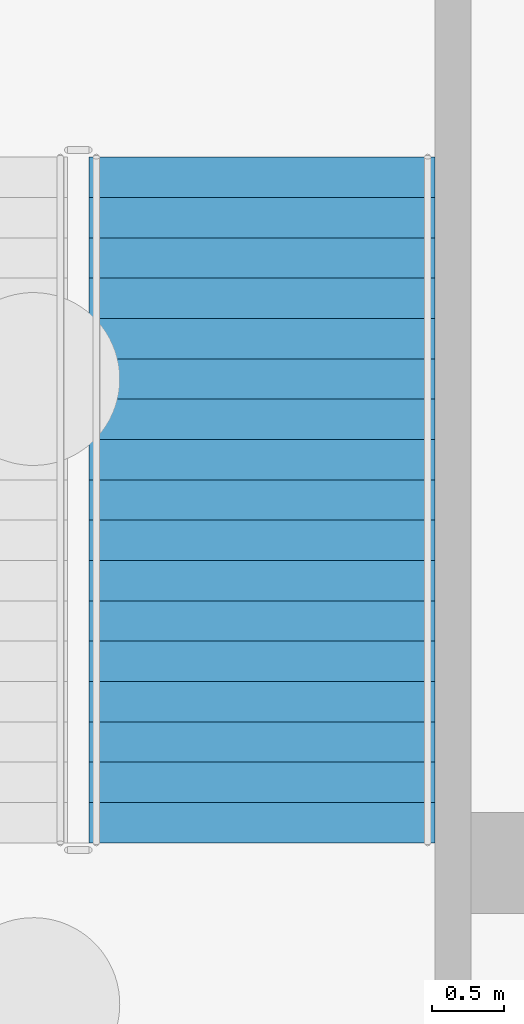
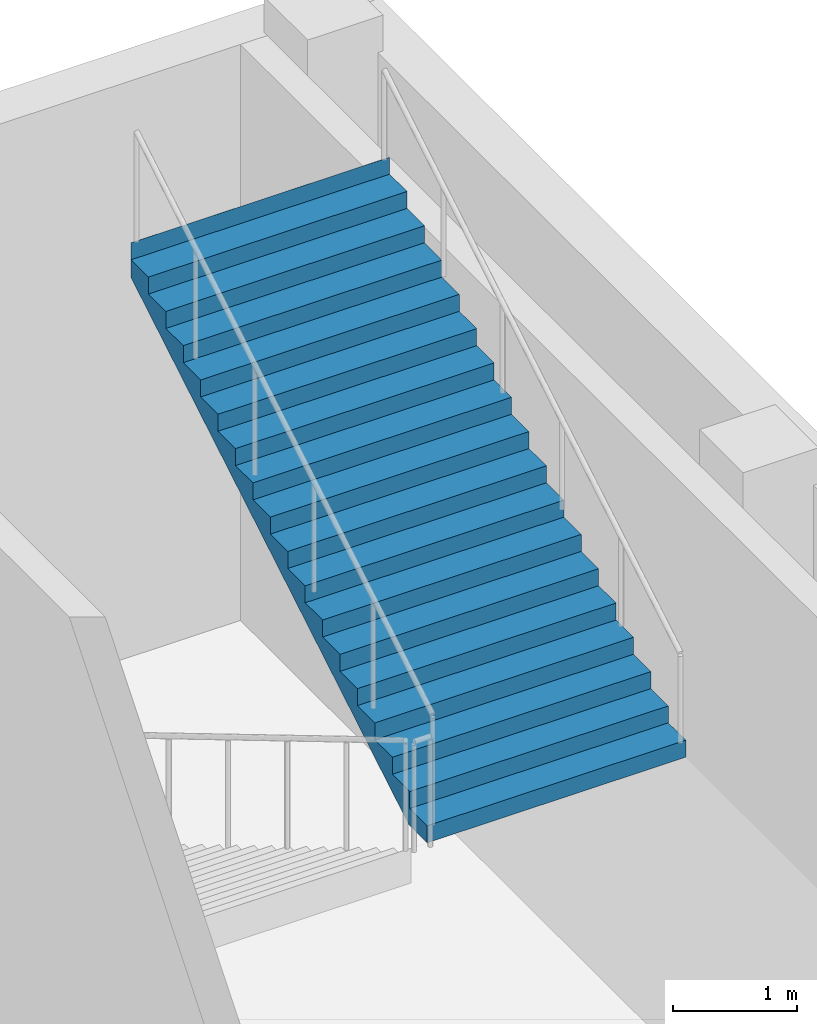
# One storey, part 28 of 45: 1 stair flight, 1 element without a shape of its own.
"""IFC4 building model written with IfcOpenShell, lengths in metres."""

from ifc_helpers import new_model, si_unit, direction, frame, origin, place, context, subcontext, project, spatial, polyline, outline, extrude, material, type_object, element, aggregate, save


model = new_model("IFC4")

# Units and contexts
model_context = context("Model", 3, precision=1e-05, world=origin(), true_north=direction((0.0, 1.0)))
body_context = subcontext(model_context, "Body", "Model", "MODEL_VIEW")
ifc_project = project(units=[si_unit("LENGTHUNIT", "METRE"), si_unit("AREAUNIT", "SQUARE_METRE"), si_unit("VOLUMEUNIT", "CUBIC_METRE"), si_unit("PLANEANGLEUNIT", "RADIAN"), si_unit("MASSUNIT", "GRAM", prefix="KILO")], contexts=[model_context])

# Site, building, storey
site_placement = place(None, origin())
site = spatial("IfcSite", under=ifc_project, at=site_placement, CompositionType="ELEMENT")
building_placement = place(site_placement, origin())
building = spatial("IfcBuilding", under=site, at=building_placement, Name="Tamorin Gate", CompositionType="ELEMENT")
storey_placement = place(building_placement, frame((0.0, 0.0, -6.0)))
storey = spatial("IfcBuildingStorey", under=building, at=storey_placement, Name="B1", CompositionType="ELEMENT", Elevation=-6.0)

# Stair, stair flight
ifc_material = material(Name="Concrete C40/50", Category="concrete")
stair_type = type_object("IfcStairType", Name="Museum exit stair 2400 C40/50", PredefinedType="HALF_TURN_STAIR", material=ifc_material)
stair_placement = place(storey_placement, origin())
stair = element("IfcStair", 1, at=stair_placement, inside=storey, type_object=stair_type, Name="B1 PS9", PredefinedType="HALF_TURN_STAIR")
stair_flight_type = type_object("IfcStairFlightType", Name="Museum exit stair flight 2400 C40/50", PredefinedType="STRAIGHT", material=ifc_material)
stair_flight_placement = place(storey_placement, frame((207.89990234375, 90.840087890625, 3.0), z_axis=(0.0, 0.0, 1.0), x_axis=(0.0, 1.0, 0.0)))
stair_flight = element("IfcStairFlight", 2, at=stair_flight_placement, type_object=stair_flight_type, Name="PS9 flight 2", NumberOfRisers=18, NumberOfTreads=17, PredefinedType="STRAIGHT", RiserHeight=0.166666667, TreadLength=0.28, context=body_context, shape_type="SweptSolid", body=[
    extrude(outline(polyline([(-0.00048828125, 0.0), (-0.00048828125, 0.001708984375), (-0.00048828125, 0.00341796875), (-0.00048828125, 0.0048828125), (-0.00048828125, 0.006591796875), (-0.00048828125, 0.00830078125), (-0.00048828125, 0.010009765625), (-0.00048828125, 0.011474609375), (-0.00048828125, 0.01318359375), (-0.00048828125, 0.014892578125), (-0.00048828125, 0.0166015625), (-0.00048828125, 0.01806640625), (-0.00048828125, 0.019775390625), (-0.00048828125, 0.021484375), (-0.00048828125, 0.023193359375), (-0.00048828125, 0.024658203125), (-0.00048828125, 0.0263671875), (-0.00048828125, 0.028076171875), (-0.00048828125, 0.02978515625), (-0.00048828125, 0.03125), (-0.00048828125, 0.032958984375), (-0.00048828125, 0.03466796875), (-0.00048828125, 0.036376953125), (-0.00048828125, 0.037841796875), (-0.00048828125, 0.03955078125), (-0.00048828125, 0.041259765625), (-0.00048828125, 0.04296875), (-0.00048828125, 0.04443359375), (-0.00048828125, 0.046142578125), (-0.00048828125, 0.0478515625), (-0.00048828125, 0.049560546875), (-0.00048828125, 0.05126953125), (-0.00048828125, 0.052734375), (-0.00048828125, 0.054443359375), (-0.00048828125, 0.05615234375), (-0.00048828125, 0.057861328125), (-0.00048828125, 0.059326171875), (-0.00048828125, 0.06103515625), (-0.00048828125, 0.062744140625), (-0.00048828125, 0.064453125), (-0.00048828125, 0.06591796875), (-0.00048828125, 0.067626953125), (-0.00048828125, 0.0693359375), (-0.00048828125, 0.071044921875), (-0.00048828125, 0.072509765625), (-0.00048828125, 0.07421875), (-0.00048828125, 0.075927734375), (-0.00048828125, 0.07763671875), (-0.00048828125, 0.0791015625), (-0.00048828125, 0.080810546875), (-0.00048828125, 0.08251953125), (-0.00048828125, 0.084228515625), (-0.00048828125, 0.085693359375), (-0.00048828125, 0.08740234375), (-0.00048828125, 0.089111328125), (-0.00048828125, 0.0908203125), (-0.00048828125, 0.092529296875), (-0.00048828125, 0.093994140625), (-0.00048828125, 0.095703125), (-0.00048828125, 0.097412109375), (-0.00048828125, 0.09912109375), (-0.00048828125, 0.1005859375), (-0.00048828125, 0.102294921875), (-0.00048828125, 0.10400390625), (-0.00048828125, 0.105712890625), (-0.00048828125, 0.107177734375), (-0.00048828125, 0.10888671875), (-0.00048828125, 0.110595703125), (-0.00048828125, 0.1123046875), (-0.00048828125, 0.11376953125), (-0.00048828125, 0.115478515625), (-0.00048828125, 0.1171875), (-0.00048828125, 0.118896484375), (-0.00048828125, 0.120361328125), (-0.00048828125, 0.1220703125), (-0.00048828125, 0.123779296875), (-0.00048828125, 0.12548828125), (-0.00048828125, 0.126953125), (-0.00048828125, 0.128662109375), (-0.00048828125, 0.13037109375), (-0.00048828125, 0.132080078125), (-0.00048828125, 0.133544921875), (-0.00048828125, 0.13525390625), (-0.00048828125, 0.136962890625), (-0.00048828125, 0.138671875), (-0.00048828125, 0.140380859375), (-0.00048828125, 0.141845703125), (-0.00048828125, 0.1435546875), (-0.00048828125, 0.145263671875), (-0.00048828125, 0.14697265625), (-0.00048828125, 0.1484375), (-0.00048828125, 0.150146484375), (-0.00048828125, 0.15185546875), (-0.00048828125, 0.153564453125), (-0.00048828125, 0.155029296875), (-0.00048828125, 0.15673828125), (-0.00048828125, 0.158447265625), (-0.00048828125, 0.16015625), (-0.00048828125, 0.16162109375), (-0.00048828125, 0.163330078125), (-0.00048828125, 0.1650390625), (-0.00048828125, 0.166748046875), (0.280029296875, 0.166748046875), (0.280029296875, 0.333251953125), (0.56005859375, 0.333251953125), (0.56005859375, 0.5), (0.840087890625, 0.5), (0.840087890625, 0.666748046875), (1.1201171875, 0.666748046875), (1.1201171875, 0.833251953125), (1.39990234375, 0.833251953125), (1.39990234375, 1.0), (1.679931640625, 1.0), (1.679931640625, 1.166748046875), (1.9599609375, 1.166748046875), (1.9599609375, 1.333251953125), (2.239990234375, 1.333251953125), (2.239990234375, 1.5), (2.52001953125, 1.5), (2.52001953125, 1.666748046875), (2.800048828125, 1.666748046875), (2.800048828125, 1.833251953125), (3.080078125, 1.833251953125), (3.080078125, 2.0), (3.360107421875, 2.0), (3.360107421875, 2.166748046875), (3.639892578125, 2.166748046875), (3.639892578125, 2.333251953125), (3.919921875, 2.333251953125), (3.919921875, 2.5), (4.199951171875, 2.5), (4.199951171875, 2.666748046875), (4.47998046875, 2.666748046875), (4.47998046875, 2.833251953125), (4.760009765625, 2.833251953125), (4.760009765625, 3.0), (4.760498046875, 3.0), (4.760498046875, 2.99658203125), (4.760498046875, 2.9931640625), (4.760498046875, 2.98974609375), (4.760498046875, 2.986572265625), (4.760498046875, 2.983154296875), (4.760498046875, 2.979736328125), (4.760498046875, 2.976318359375), (4.760498046875, 2.972900390625), (4.760498046875, 2.969482421875), (4.760498046875, 2.96630859375), (4.760498046875, 2.962890625), (4.760498046875, 2.95947265625), (4.760498046875, 2.9560546875), (4.760498046875, 2.95263671875), (4.760498046875, 2.94921875), (4.760498046875, 2.946044921875), (4.760498046875, 2.942626953125), (4.760498046875, 2.939208984375), (4.760498046875, 2.935791015625), (4.760498046875, 2.932373046875), (4.760498046875, 2.928955078125), (4.760498046875, 2.92578125), (4.760498046875, 2.92236328125), (4.760498046875, 2.9189453125), (4.760498046875, 2.91552734375), (4.760498046875, 2.912109375), (4.760498046875, 2.90869140625), (4.760498046875, 2.905517578125), (4.760498046875, 2.902099609375), (4.760498046875, 2.898681640625), (4.760498046875, 2.895263671875), (4.760498046875, 2.891845703125), (4.760498046875, 2.888427734375), (4.760498046875, 2.88525390625), (4.760498046875, 2.8818359375), (4.760498046875, 2.87841796875), (4.760498046875, 2.875), (4.760498046875, 2.87158203125), (4.760498046875, 2.8681640625), (4.760498046875, 2.864990234375), (4.760498046875, 2.861572265625), (4.760498046875, 2.858154296875), (4.760498046875, 2.854736328125), (4.760498046875, 2.851318359375), (4.760498046875, 2.847900390625), (4.760498046875, 2.8447265625), (4.760498046875, 2.84130859375), (4.760498046875, 2.837890625), (4.760498046875, 2.83447265625), (4.760498046875, 2.8310546875), (4.760498046875, 2.82763671875), (4.760498046875, 2.824462890625), (4.760498046875, 2.821044921875), (4.760498046875, 2.817626953125), (4.760498046875, 2.814208984375), (4.760498046875, 2.810791015625), (4.760498046875, 2.807373046875), (4.760498046875, 2.80419921875), (4.760498046875, 2.80078125), (4.760498046875, 2.79736328125), (4.760498046875, 2.7939453125), (4.760498046875, 2.79052734375), (4.760498046875, 2.787109375), (4.760498046875, 2.783935546875), (4.760498046875, 2.780517578125), (4.760498046875, 2.777099609375), (4.760498046875, 2.773681640625), (4.760498046875, 2.770263671875), (4.760498046875, 2.766845703125), (4.760498046875, 2.763671875), (4.760498046875, 2.76025390625), (4.760498046875, 2.7568359375), (4.760498046875, 2.75341796875), (4.760498046875, 2.75), (4.760498046875, 2.74658203125), (4.760498046875, 2.743408203125), (4.760498046875, 2.739990234375), (4.760498046875, 2.736572265625), (4.760498046875, 2.733154296875), (4.760498046875, 2.729736328125), (4.760498046875, 2.726318359375), (4.760498046875, 2.72314453125), (4.760498046875, 2.7197265625), (4.760498046875, 2.71630859375), (4.760498046875, 2.712890625), (4.760498046875, 2.70947265625), (4.760498046875, 2.7060546875), (4.760498046875, 2.702880859375), (4.760498046875, 2.699462890625), (4.760498046875, 2.696044921875), (4.760498046875, 2.692626953125), (4.760498046875, 2.689208984375), (4.760498046875, 2.685791015625), (4.760498046875, 2.6826171875), (4.760498046875, 2.67919921875), (4.760498046875, 2.67578125), (4.760498046875, 2.67236328125), (4.760498046875, 2.6689453125), (4.760498046875, 2.66552734375), (4.760498046875, 2.662353515625), (4.760498046875, 2.658935546875), (4.760009765625, 2.658935546875), (0.29296875, 0.0), (-0.00048828125, 0.0)])), frame((0.0, 1.199951171875, 0.0), z_axis=(0.0, -1.0, 0.0), x_axis=(1.0, 0.0, 0.0)), (0.0, 0.0, 1.0), 2.39990234375),
])
aggregate(stair, [stair_flight])

save(model, "model.ifc")
